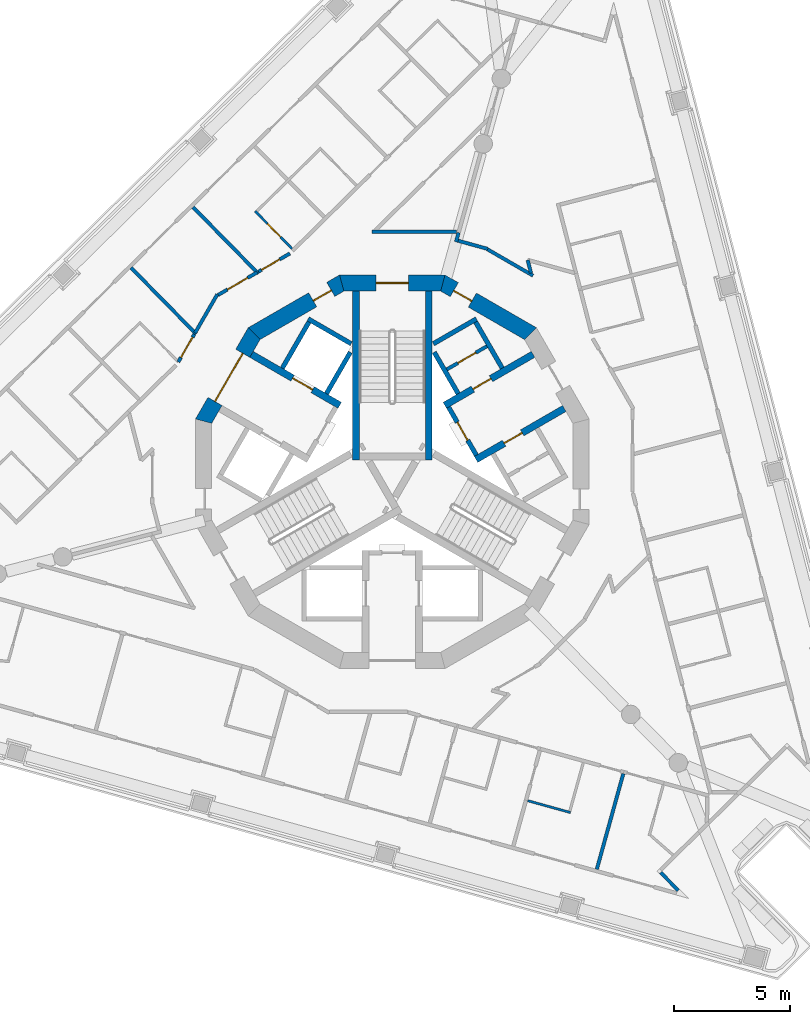
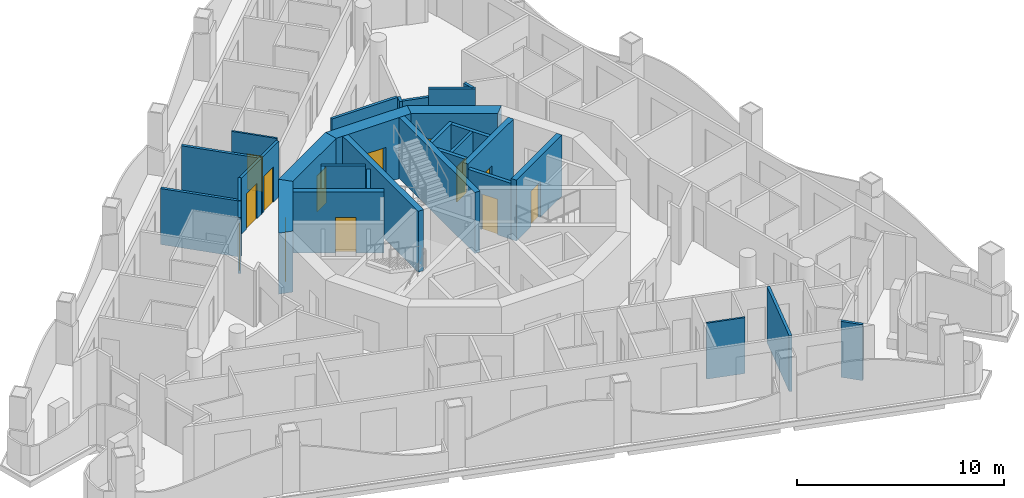
# One storey, part 5 of 14: 32 walls, 13 doors, 13 openings.
"""IFC4 building model written with IfcOpenShell, lengths in metres."""

from ifc_helpers import new_model, si_unit, direction, frame, frame_2d, origin, place, context, subcontext, project, spatial, polyline, rectangle, outline, extrude, material, layer, layer_set, type_object, element, fill, save


model = new_model("IFC4")

# Units and contexts
model_context = context("Model", 3, precision=1e-05, world=origin(), true_north=direction((0.0, 1.0)))
body_context = subcontext(model_context, "Body", "Model", "MODEL_VIEW")
ifc_project = project(units=[si_unit("LENGTHUNIT", "METRE"), si_unit("AREAUNIT", "SQUARE_METRE"), si_unit("VOLUMEUNIT", "CUBIC_METRE"), si_unit("PLANEANGLEUNIT", "RADIAN"), si_unit("MASSUNIT", "GRAM", prefix="KILO")], contexts=[model_context])

# Site, building, storey
site_placement = place(None, origin())
site = spatial("IfcSite", under=ifc_project, at=site_placement, CompositionType="ELEMENT")
building_placement = place(site_placement, origin())
building = spatial("IfcBuilding", under=site, at=building_placement, Name="Trine Commons Tower", CompositionType="ELEMENT")
storey_placement = place(building_placement, frame((0.0, 0.0, 242.10009765625)))
storey = spatial("IfcBuildingStorey", under=building, at=storey_placement, Name="L63", CompositionType="ELEMENT", Elevation=242.10009765625)

# Wall, opening, door
ifc_material_1 = material(Name="Plasterboard partition on steel studs", Category="steel")
ifc_layer_1 = layer(ifc_material_1, 0.14990234375)
ifc_layer_set_1 = layer_set([ifc_layer_1], Name="Plasterboard partition on steel studs")
wall_type_1 = type_object("IfcWallType", Name="Core room partition 150 mm, EI 60", PredefinedType="PARTITIONING", material=ifc_layer_set_1)
wall_1_placement = place(storey_placement, frame((82.35498046875, 66.919921875, 0.0), z_axis=(0.0, 0.0, 1.0), x_axis=(0.866010750942, 0.50002537861, 0.0)))
wall_1 = element("IfcWall", 1, at=wall_1_placement, inside=storey, type_object=wall_type_1, Name="Core room partition L63", PredefinedType="PARTITIONING", context=body_context, shape_type="SweptSolid", body=[
    extrude(rectangle(XDim=2.0, YDim=0.14990234375, at=frame_2d((1.0, 0.0))), origin(), (0.0, 0.0, 1.0), 3.2998046875),
])
opening_1_placement = place(wall_1_placement, frame((0.550537109375, 0.0, 0.0)))
opening_1 = element("IfcOpeningElement", 2, at=opening_1_placement, cuts=wall_1, Name="Opening K15.11", PredefinedType="OPENING", context=body_context, shape_type="SweptSolid", body=[
    extrude(rectangle(XDim=0.89990234375, YDim=2.10009765625, at=frame_2d((0.449951171875, 1.050048828125))), frame((0.0, 0.0849609375, 0.0), z_axis=(0.0, -1.0, 0.0), x_axis=(1.0, 0.0, 0.0)), (0.0, 0.0, 1.0), 0.169921875),
])
ifc_material_2 = material(Name="Steel door leaf, fire-rated", Category="steel")
door_type_1 = type_object("IfcDoorType", Name="Core room door, single leaf 900 x 2100, FD30S", OperationType="SINGLE_SWING_LEFT", PredefinedType="DOOR", material=ifc_material_2)
door_1_placement = place(opening_1_placement, origin())
door_1 = element("IfcDoor", 3, at=door_1_placement, inside=storey, type_object=door_type_1, Name="Door to Pantry L63", OperationType="SINGLE_SWING_RIGHT", OverallHeight=2.10009765625, OverallWidth=0.89990234375, PredefinedType="DOOR", context=body_context, shape_type="SweptSolid", body=[
    extrude(rectangle(XDim=0.89990234375, YDim=2.10009765625, at=frame_2d((0.449951171875, 1.050048828125))), frame((0.0, 0.02490234375, 0.0), z_axis=(0.0, -1.0, 0.0), x_axis=(1.0, 0.0, 0.0)), (0.0, 0.0, 1.0), 0.050048828125),
])
fill(opening_1, door_1)

# Wall
ifc_material_3 = material(Name="Aluminium-framed insulated wall panel", Category="aluminium")
ifc_layer_2 = layer(ifc_material_3, 0.14990234375)
ifc_layer_set_2 = layer_set([ifc_layer_2], Name="Aluminium-framed insulated wall panel")
wall_type_2 = type_object("IfcWallType", Name="Glazed frame wall 150, EI 60", PredefinedType="SOLIDWALL", material=ifc_layer_set_2)
wall_2_placement = place(storey_placement, frame((91.510498046875, 45.2724609375, 0.0), z_axis=(0.0, 0.0, 1.0), x_axis=(0.700999978355, -0.71316129336, 0.0)))
element("IfcWall", 4, at=wall_2_placement, inside=storey, type_object=wall_type_2, Name="Glazed frame wall R8", PredefinedType="SOLIDWALL", context=body_context, shape_type="SweptSolid", body=[
    extrude(outline(polyline([(0.110107421875, 0.074951171875), (0.110107421875, -0.074951171875), (1.19580078125, -0.074951171875), (1.19580078125, 0.074951171875), (0.110107421875, 0.074951171875)])), origin(), (0.0, 0.0, 1.0), 3.2998046875),
])

# Wall, opening, door
ifc_material_4 = material(Name="Fire-rated gypsum shaft wall system")
ifc_layer_3 = layer(ifc_material_4, 0.199951171875)
ifc_layer_set_3 = layer_set([ifc_layer_3], Name="Fire-rated gypsum shaft wall system")
wall_type_3 = type_object("IfcWallType", Name="Lobby end wall 200 mm, EI 120", PredefinedType="PARTITIONING", material=ifc_layer_set_3)
wall_3_placement = place(storey_placement, frame((83.631103515625, 63.2109375, 0.0), z_axis=(0.0, 0.0, 1.0), x_axis=(-0.50012165622, 0.865955154139, 0.0)))
wall_3 = element("IfcWall", 5, at=wall_3_placement, inside=storey, type_object=wall_type_3, Name="Lobby end wall L63", PredefinedType="PARTITIONING", context=body_context, shape_type="SweptSolid", body=[
    extrude(rectangle(XDim=2.39990234375, YDim=0.199951171875, at=frame_2d((1.199951171875, 0.0))), origin(), (0.0, 0.0, 1.0), 3.2998046875),
])
opening_2_placement = place(wall_3_placement, frame((0.749755859375, 0.0, 0.0)))
opening_2 = element("IfcOpeningElement", 6, at=opening_2_placement, cuts=wall_3, Name="Opening K15.05", PredefinedType="OPENING", context=body_context, shape_type="SweptSolid", body=[
    extrude(rectangle(XDim=0.89990234375, YDim=2.10009765625, at=frame_2d((0.449951171875, 1.050048828125))), frame((0.0, 0.10986328125, 0.0), z_axis=(0.0, -1.0, 0.0), x_axis=(1.0, 0.0, 0.0)), (0.0, 0.0, 1.0), 0.219970703125),
])
door_type_2 = type_object("IfcDoorType", Name="Riser access door, single leaf 900 x 2100, FD60", OperationType="SINGLE_SWING_LEFT", PredefinedType="DOOR", material=ifc_material_2)
door_2_placement = place(opening_2_placement, frame((0.89990234375, 0.0, 0.0), z_axis=(0.0, 0.0, 1.0), x_axis=(-1.0, 0.0, 0.0)))
door_2 = element("IfcDoor", 7, at=door_2_placement, inside=storey, type_object=door_type_2, Name="Riser door, Electrical riser L63", OperationType="SINGLE_SWING_LEFT", OverallHeight=2.10009765625, OverallWidth=0.89990234375, PredefinedType="DOOR", context=body_context, shape_type="SweptSolid", body=[
    extrude(rectangle(XDim=0.89990234375, YDim=2.10009765625, at=frame_2d((0.449951171875, 1.050048828125))), frame((0.0, 0.02490234375, 0.0), z_axis=(0.0, -1.0, 0.0), x_axis=(1.0, 0.0, 0.0)), (0.0, 0.0, 1.0), 0.050048828125),
])
fill(opening_2, door_2)

ifc_material_5 = material(Name="Concrete C50/60", Category="concrete")
ifc_layer_4 = layer(ifc_material_5, 0.300048828125)
ifc_layer_set_4 = layer_set([ifc_layer_4], Name="Concrete C50/60")
wall_type_4 = type_object("IfcWallType", Name="RC shear wall 300 mm, C50/60", PredefinedType="SHEAR", material=ifc_layer_set_4)
wall_4_placement = place(storey_placement, frame((77.73095703125, 65.368896484375, 0.0), z_axis=(0.0, 0.0, 1.0), x_axis=(-0.866035918664, 0.499981787252, 0.0)))
wall_4 = element("IfcWall", 8, at=wall_4_placement, inside=storey, type_object=wall_type_4, Name="Core cross wall SWC-02 L63", PredefinedType="SHEAR", context=body_context, shape_type="SweptSolid", body=[
    extrude(rectangle(XDim=4.400634765625, YDim=0.300048828125, at=frame_2d((2.2001953125, 0.0))), origin(), (0.0, 0.0, 1.0), 3.599853515625),
])
opening_3_placement = place(wall_4_placement, frame((1.3505859375, 0.0, 0.0)))
opening_3 = element("IfcOpeningElement", 9, at=opening_3_placement, cuts=wall_4, Name="Opening LD8", PredefinedType="OPENING", context=body_context, shape_type="SweptSolid", body=[
    extrude(rectangle(XDim=1.0, YDim=2.10009765625, at=frame_2d((0.5, 1.050048828125))), frame((0.0, 0.159912109375, 0.0), z_axis=(0.0, -1.0, 0.0), x_axis=(1.0, 0.0, 0.0)), (0.0, 0.0, 1.0), 0.320068359375),
])
ifc_material_6 = material(Name="Stainless steel sliding door leaves", Category="steel")
door_type_3 = type_object("IfcDoorType", Name="Lift landing door, centre-opening sliding 1000 x 2100, FD90", OperationType="DOUBLE_DOOR_SLIDING", PredefinedType="DOOR", material=ifc_material_6)
door_3_placement = place(opening_3_placement, origin())
door_3 = element("IfcDoor", 10, at=door_3_placement, inside=storey, type_object=door_type_3, Name="Lift landing door HR4 L63", OperationType="DOUBLE_DOOR_SLIDING", OverallHeight=2.10009765625, OverallWidth=1.0, PredefinedType="DOOR", context=body_context, shape_type="SweptSolid", body=[
    extrude(rectangle(XDim=1.0, YDim=2.10009765625, at=frame_2d((0.5, 1.050048828125))), frame((0.0, 0.02490234375, 0.0), z_axis=(0.0, -1.0, 0.0), x_axis=(1.0, 0.0, 0.0)), (0.0, 0.0, 1.0), 0.050048828125),
])
fill(opening_3, door_3)

wall_5_placement = place(storey_placement, frame((82.26904296875, 65.368896484375, 0.0), z_axis=(0.0, 0.0, 1.0), x_axis=(0.866035918664, 0.499981787252, 0.0)))
wall_5 = element("IfcWall", 11, at=wall_5_placement, inside=storey, type_object=wall_type_4, Name="Core cross wall SWC-05 L63", PredefinedType="SHEAR", context=body_context, shape_type="SweptSolid", body=[
    extrude(rectangle(XDim=4.400634765625, YDim=0.300048828125, at=frame_2d((2.2001953125, 0.0))), origin(), (0.0, 0.0, 1.0), 3.599853515625),
])
opening_4_placement = place(wall_5_placement, frame((1.400390625, 0.0, 0.0)))
opening_4 = element("IfcOpeningElement", 12, at=opening_4_placement, cuts=wall_5, Name="Opening K15.10", PredefinedType="OPENING", context=body_context, shape_type="SweptSolid", body=[
    extrude(rectangle(XDim=0.89990234375, YDim=2.10009765625, at=frame_2d((0.449951171875, 1.050048828125))), frame((0.0, 0.159912109375, 0.0), z_axis=(0.0, -1.0, 0.0), x_axis=(1.0, 0.0, 0.0)), (0.0, 0.0, 1.0), 0.320068359375),
])
door_4_placement = place(opening_4_placement, origin())
door_4 = element("IfcDoor", 13, at=door_4_placement, inside=storey, type_object=door_type_1, Name="Door to Linen store L63", OperationType="SINGLE_SWING_LEFT", OverallHeight=2.10009765625, OverallWidth=0.89990234375, PredefinedType="DOOR", context=body_context, shape_type="SweptSolid", body=[
    extrude(rectangle(XDim=0.89990234375, YDim=2.10009765625, at=frame_2d((0.449951171875, 1.050048828125))), frame((0.0, 0.02490234375, 0.0), z_axis=(0.0, -1.0, 0.0), x_axis=(1.0, 0.0, 0.0)), (0.0, 0.0, 1.0), 0.050048828125),
])
fill(opening_4, door_4)

wall_6_placement = place(storey_placement, frame((83.618896484375, 63.031005859375, 0.0), z_axis=(0.0, 0.0, 1.0), x_axis=(0.866059941101, 0.499940174841, 0.0)))
wall_6 = element("IfcWall", 14, at=wall_6_placement, inside=storey, type_object=wall_type_4, Name="Core cross wall SWC-06 L63", PredefinedType="SHEAR", context=body_context, shape_type="SweptSolid", body=[
    extrude(rectangle(XDim=4.400390625, YDim=0.300048828125, at=frame_2d((2.2001953125, 0.0))), origin(), (0.0, 0.0, 1.0), 3.599853515625),
])
opening_5_placement = place(wall_6_placement, frame((1.400390625, 0.0, 0.0)))
opening_5 = element("IfcOpeningElement", 15, at=opening_5_placement, cuts=wall_6, Name="Opening K15.12", PredefinedType="OPENING", context=body_context, shape_type="SweptSolid", body=[
    extrude(rectangle(XDim=0.89990234375, YDim=2.10009765625, at=frame_2d((0.449951171875, 1.050048828125))), frame((0.0, 0.159912109375, 0.0), z_axis=(0.0, -1.0, 0.0), x_axis=(1.0, 0.0, 0.0)), (0.0, 0.0, 1.0), 0.320068359375),
])
door_5_placement = place(opening_5_placement, frame((0.89990234375, 0.0, 0.0), z_axis=(0.0, 0.0, 1.0), x_axis=(-1.0, 0.0, 0.0)))
door_5 = element("IfcDoor", 16, at=door_5_placement, inside=storey, type_object=door_type_1, Name="Door to Comms room L63", OperationType="SINGLE_SWING_LEFT", OverallHeight=2.10009765625, OverallWidth=0.89990234375, PredefinedType="DOOR", context=body_context, shape_type="SweptSolid", body=[
    extrude(rectangle(XDim=0.89990234375, YDim=2.10009765625, at=frame_2d((0.449951171875, 1.050048828125))), frame((0.0, 0.02490234375, 0.0), z_axis=(0.0, -1.0, 0.0), x_axis=(1.0, 0.0, 0.0)), (0.0, 0.0, 1.0), 0.050048828125),
])
fill(opening_5, door_5)

# Walls
for number, where, z_axis, x_axis, name in (
    (17, (78.425048828125, 63.0009765625, 0.0), (0.0, 0.0, 1.0), (0.0, 1.0, 0.0), "Core cross wall SWC-08 L63"),
    (18, (81.574951171875, 63.0009765625, 0.0), (0.0, 0.0, 1.0), (0.0, 1.0, 0.0), "Core cross wall SWC-17 L63"),
):
    element("IfcWall", number, at=place(storey_placement, frame(where, z_axis=z_axis, x_axis=x_axis)), inside=storey, type_object=wall_type_4, Name=name, PredefinedType="SHEAR", context=body_context, shape_type="SweptSolid", body=[
        extrude(rectangle(XDim=7.299072265625, YDim=0.300048828125, at=frame_2d((3.6494140625, 0.0))), origin(), (0.0, 0.0, 1.0), 3.599853515625),
    ])

# Wall, opening, door
ifc_layer_5 = layer(ifc_material_5, 0.699951171875)
ifc_layer_set_5 = layer_set([ifc_layer_5], Name="Concrete C50/60")
wall_type_5 = type_object("IfcWallType", Name="RC shear wall 700 mm, C50/60", PredefinedType="SHEAR", material=ifc_layer_set_5)
wall_7_placement = place(storey_placement, frame((86.047607421875, 68.41943359375, 0.0), z_axis=(0.0, 0.0, 1.0), x_axis=(-0.866034756103, 0.499983800959, 0.0)))
wall_7 = element("IfcWall", 19, at=wall_7_placement, inside=storey, type_object=wall_type_5, Name="Core wall CWG-03 L63", PredefinedType="SHEAR", context=body_context, shape_type="SweptSolid", body=[
    extrude(outline(polyline([(0.0, -0.35009765625), (4.55517578125, -0.35009765625), (4.36767578125, 0.35009765625), (0.1875, 0.35009765625), (0.0, -0.35009765625)])), origin(), (0.0, 0.0, 1.0), 3.599853515625),
])
opening_6_placement = place(wall_7_placement, frame((2.990966796875, 0.0, 0.0)))
opening_6 = element("IfcOpeningElement", 20, at=opening_6_placement, cuts=wall_7, Name="Opening K15.14", PredefinedType="OPENING", context=body_context, shape_type="SweptSolid", body=[
    extrude(rectangle(XDim=0.89990234375, YDim=2.10009765625, at=frame_2d((0.449951171875, 1.050048828125))), frame((0.0, 0.35986328125, 0.0), z_axis=(0.0, -1.0, 0.0), x_axis=(1.0, 0.0, 0.0)), (0.0, 0.0, 1.0), 0.719970703125),
])
door_6_placement = place(opening_6_placement, origin())
door_6 = element("IfcDoor", 21, at=door_6_placement, inside=storey, type_object=door_type_1, Name="Door to Core WC L63", OperationType="SINGLE_SWING_RIGHT", OverallHeight=2.10009765625, OverallWidth=0.89990234375, PredefinedType="DOOR", context=body_context, shape_type="SweptSolid", body=[
    extrude(rectangle(XDim=0.89990234375, YDim=2.10009765625, at=frame_2d((0.449951171875, 1.050048828125))), frame((0.0, 0.0751953125, 0.0), z_axis=(0.0, -1.0, 0.0), x_axis=(1.0, 0.0, 0.0)), (0.0, 0.0, 1.0), 0.050048828125),
])
fill(opening_6, door_6)

wall_8_placement = place(storey_placement, frame((82.277587890625, 70.650146484375, 0.0), z_axis=(0.0, 0.0, 1.0), x_axis=(-1.0, 0.0, 0.0)))
wall_8 = element("IfcWall", 22, at=wall_8_placement, inside=storey, type_object=wall_type_5, Name="Core wall CWG-04 L63", PredefinedType="SHEAR", context=body_context, shape_type="SweptSolid", body=[
    extrude(outline(polyline([(0.0, -0.35009765625), (4.55517578125, -0.35009765625), (4.36767578125, 0.35009765625), (0.1875, 0.35009765625), (0.0, -0.35009765625)])), origin(), (0.0, 0.0, 1.0), 3.599853515625),
])
opening_7_placement = place(wall_8_placement, frame((1.57763671875, 0.0, 0.0)))
opening_7 = element("IfcOpeningElement", 23, at=opening_7_placement, cuts=wall_8, Name="Opening K15.01", PredefinedType="OPENING", context=body_context, shape_type="SweptSolid", body=[
    extrude(rectangle(XDim=1.39990234375, YDim=2.10009765625, at=frame_2d((0.699951171875, 1.050048828125))), frame((0.0, 0.35986328125, 0.0), z_axis=(0.0, -1.0, 0.0), x_axis=(1.0, 0.0, 0.0)), (0.0, 0.0, 1.0), 0.719970703125),
])
ifc_material_7 = material(Name="Steel door leaves, fire-rated", Category="steel")
door_type_4 = type_object("IfcDoorType", Name="Stair door, double leaf 1400 x 2100, FD90", OperationType="DOUBLE_DOOR_SINGLE_SWING", PredefinedType="DOOR", material=ifc_material_7)
door_7_placement = place(opening_7_placement, origin())
door_7 = element("IfcDoor", 24, at=door_7_placement, inside=storey, type_object=door_type_4, Name="Stair door to Exit stair ST1C L63", OperationType="DOUBLE_DOOR_SINGLE_SWING", OverallHeight=2.10009765625, OverallWidth=1.39990234375, PredefinedType="DOOR", context=body_context, shape_type="SweptSolid", body=[
    extrude(rectangle(XDim=1.39990234375, YDim=2.10009765625, at=frame_2d((0.699951171875, 1.050048828125))), frame((0.0, 0.02490234375, 0.0), z_axis=(0.0, -1.0, 0.0), x_axis=(1.0, 0.0, 0.0)), (0.0, 0.0, 1.0), 0.050048828125),
])
fill(opening_7, door_7)

wall_9_placement = place(storey_placement, frame((77.8974609375, 70.697021484375, 0.0), z_axis=(0.0, 0.0, 1.0), x_axis=(-0.866034756103, -0.499983800959, 0.0)))
wall_9 = element("IfcWall", 25, at=wall_9_placement, inside=storey, type_object=wall_type_5, Name="Core wall CWG-05 L63", PredefinedType="SHEAR", context=body_context, shape_type="SweptSolid", body=[
    extrude(outline(polyline([(0.0, -0.35009765625), (4.55517578125, -0.35009765625), (4.36767578125, 0.35009765625), (0.1875, 0.35009765625), (0.0, -0.35009765625)])), origin(), (0.0, 0.0, 1.0), 3.599853515625),
])
opening_8_placement = place(wall_9_placement, frame((0.641845703125, 0.0, 0.0)))
opening_8 = element("IfcOpeningElement", 26, at=opening_8_placement, cuts=wall_9, Name="Opening K15.15", PredefinedType="OPENING", context=body_context, shape_type="SweptSolid", body=[
    extrude(rectangle(XDim=0.89990234375, YDim=2.10009765625, at=frame_2d((0.449951171875, 1.050048828125))), frame((0.0, 0.35986328125, 0.0), z_axis=(0.0, -1.0, 0.0), x_axis=(1.0, 0.0, 0.0)), (0.0, 0.0, 1.0), 0.719970703125),
])
door_8_placement = place(opening_8_placement, origin())
door_8 = element("IfcDoor", 27, at=door_8_placement, inside=storey, type_object=door_type_1, Name="Door to Accessible WC L63", OperationType="SINGLE_SWING_LEFT", OverallHeight=2.10009765625, OverallWidth=0.89990234375, PredefinedType="DOOR", context=body_context, shape_type="SweptSolid", body=[
    extrude(rectangle(XDim=0.89990234375, YDim=2.10009765625, at=frame_2d((0.449951171875, 1.050048828125))), frame((0.0, 0.0751953125, 0.0), z_axis=(0.0, -1.0, 0.0), x_axis=(1.0, 0.0, 0.0)), (0.0, 0.0, 1.0), 0.050048828125),
])
fill(opening_8, door_8)

wall_10_placement = place(storey_placement, frame((74.08056640625, 68.547607421875, 0.0), z_axis=(0.0, 0.0, 1.0), x_axis=(-0.499983800959, -0.866034756103, 0.0)))
wall_10 = element("IfcWall", 28, at=wall_10_placement, inside=storey, type_object=wall_type_5, Name="Core wall CWG-06 L63", PredefinedType="SHEAR", context=body_context, shape_type="SweptSolid", body=[
    extrude(outline(polyline([(0.0, -0.35009765625), (4.55517578125, -0.35009765625), (4.36767578125, 0.35009765625), (0.1875, 0.35009765625), (0.0, -0.35009765625)])), origin(), (0.0, 0.0, 1.0), 3.599853515625),
])
opening_9_placement = place(wall_10_placement, frame((1.077392578125, 0.0, 0.0)))
opening_9 = element("IfcOpeningElement", 29, at=opening_9_placement, cuts=wall_10, Name="Opening K15.06", PredefinedType="OPENING", context=body_context, shape_type="SweptSolid", body=[
    extrude(rectangle(XDim=2.39990234375, YDim=2.10009765625, at=frame_2d((1.199951171875, 1.050048828125))), frame((0.0, 0.35986328125, 0.0), z_axis=(0.0, -1.0, 0.0), x_axis=(1.0, 0.0, 0.0)), (0.0, 0.0, 1.0), 0.719970703125),
])
door_type_5 = type_object("IfcDoorType", Name="Lobby door, double leaf 2400 x 2100, FD60", OperationType="DOUBLE_DOOR_SINGLE_SWING", PredefinedType="DOOR", material=ifc_material_7)
door_9_placement = place(opening_9_placement, origin())
door_9 = element("IfcDoor", 30, at=door_9_placement, inside=storey, type_object=door_type_5, Name="Lobby door, Passenger lift lobby B L63", OperationType="DOUBLE_DOOR_SINGLE_SWING", OverallHeight=2.10009765625, OverallWidth=2.39990234375, PredefinedType="DOOR", context=body_context, shape_type="SweptSolid", body=[
    extrude(rectangle(XDim=2.39990234375, YDim=2.10009765625, at=frame_2d((1.199951171875, 1.050048828125))), frame((0.0, 0.02490234375, 0.0), z_axis=(0.0, -1.0, 0.0), x_axis=(1.0, 0.0, 0.0)), (0.0, 0.0, 1.0), 0.050048828125),
])
fill(opening_9, door_9)

# Walls
ifc_layer_6 = layer(ifc_material_4, 0.199951171875)
ifc_layer_set_6 = layer_set([ifc_layer_6], Name="Fire-rated gypsum shaft wall system")
wall_type_6 = type_object("IfcWallType", Name="Shaft wall 200 mm, EI 120", PredefinedType="PARTITIONING", material=ifc_layer_set_6)
wall_11_placement = place(storey_placement, frame((75.2509765625, 66.97412109375, 0.0), z_axis=(0.0, 0.0, 1.0), x_axis=(0.500136062276, 0.86594683394, 0.0)))
element("IfcWall", 31, at=wall_11_placement, inside=storey, type_object=wall_type_6, Name="Shaft wall L63", PredefinedType="PARTITIONING", context=body_context, shape_type="SweptSolid", body=[
    extrude(rectangle(XDim=2.299072265625, YDim=0.199951171875, at=frame_2d((1.1494140625, 0.0))), origin(), (0.0, 0.0, 1.0), 3.2998046875),
])
wall_12_placement = place(storey_placement, frame((77.156005859375, 65.8740234375, 0.0), z_axis=(0.0, 0.0, 1.0), x_axis=(0.499865770674, 0.866102887253, 0.0)))
element("IfcWall", 32, at=wall_12_placement, inside=storey, type_object=wall_type_6, Name="Shaft wall L63", PredefinedType="PARTITIONING", context=body_context, shape_type="SweptSolid", body=[
    extrude(rectangle(XDim=2.064453125, YDim=0.199951171875, at=frame_2d((1.0322265625, 0.0))), origin(), (0.0, 0.0, 1.0), 3.2998046875),
])
for number, where, z_axis, x_axis, name in (
    (33, (78.22509765625, 68.028076171875, 0.0), (0.0, 0.0, 1.0), (-0.866130725101, 0.499817533742, 0.0), "Shaft wall L63"),
    (34, (81.77490234375, 68.028076171875, 0.0), (0.0, 0.0, 1.0), (0.866130725101, 0.499817533742, 0.0), "Shaft wall L63"),
):
    element("IfcWall", number, at=place(storey_placement, frame(where, z_axis=z_axis, x_axis=x_axis)), inside=storey, type_object=wall_type_6, Name=name, PredefinedType="PARTITIONING", context=body_context, shape_type="SweptSolid", body=[
        extrude(rectangle(XDim=2.148681640625, YDim=0.199951171875, at=frame_2d((1.07421875, 0.0))), origin(), (0.0, 0.0, 1.0), 3.2998046875),
    ])
wall_13_placement = place(storey_placement, frame((82.843994140625, 65.8740234375, 0.0), z_axis=(0.0, 0.0, 1.0), x_axis=(-0.499865770674, 0.866102887253, 0.0)))
element("IfcWall", 35, at=wall_13_placement, inside=storey, type_object=wall_type_6, Name="Shaft wall L63", PredefinedType="PARTITIONING", context=body_context, shape_type="SweptSolid", body=[
    extrude(rectangle(XDim=2.064453125, YDim=0.199951171875, at=frame_2d((1.0322265625, 0.0))), origin(), (0.0, 0.0, 1.0), 3.2998046875),
])
wall_14_placement = place(storey_placement, frame((84.7490234375, 66.97412109375, 0.0), z_axis=(0.0, 0.0, 1.0), x_axis=(-0.500136062276, 0.86594683394, 0.0)))
element("IfcWall", 36, at=wall_14_placement, inside=storey, type_object=wall_type_6, Name="Shaft wall L63", PredefinedType="PARTITIONING", context=body_context, shape_type="SweptSolid", body=[
    extrude(rectangle(XDim=2.299072265625, YDim=0.199951171875, at=frame_2d((1.1494140625, 0.0))), origin(), (0.0, 0.0, 1.0), 3.2998046875),
])
ifc_material_8 = material(Name="Gypsum plasterboard on steel stud", Category="steel")
ifc_layer_7 = layer(ifc_material_8, 0.14990234375)
ifc_layer_set_7 = layer_set([ifc_layer_7], Name="Gypsum plasterboard on steel stud")
wall_type_7 = type_object("IfcWallType", Name="Unit and corridor wall 150 mm, EI 60", PredefinedType="PARTITIONING", material=ifc_layer_set_7)
wall_15_placement = place(storey_placement, frame((68.720947265625, 71.3076171875, 0.0), z_axis=(0.0, 0.0, 1.0), x_axis=(0.700815785944, -0.713342298039, 0.0)))
element("IfcWall", 37, at=wall_15_placement, inside=storey, type_object=wall_type_7, Name="Partition 021", PredefinedType="PARTITIONING", context=body_context, shape_type="SweptSolid", body=[
    extrude(rectangle(XDim=4.014892578125, YDim=0.14990234375, at=frame_2d((2.00732421875, 0.0))), origin(), (0.0, 0.0, 1.0), 3.2998046875),
])

# Wall, opening, door
wall_16_placement = place(storey_placement, frame((70.758056640625, 67.242919921875, 0.0), z_axis=(0.0, 0.0, 1.0), x_axis=(0.49979916758, 0.866141323391, 0.0)))
wall_16 = element("IfcWall", 38, at=wall_16_placement, inside=storey, type_object=wall_type_7, Name="Partition 029", PredefinedType="PARTITIONING", context=body_context, shape_type="SweptSolid", body=[
    extrude(rectangle(XDim=1.37744140625, YDim=0.14990234375, at=frame_2d((0.688720703125, 0.0))), origin(), (0.0, 0.0, 1.0), 3.2998046875),
])
opening_10_placement = place(wall_16_placement, frame((0.2275390625, 0.0, 0.0)))
opening_10 = element("IfcOpeningElement", 39, at=opening_10_placement, cuts=wall_16, Name="Opening D-7A06", PredefinedType="OPENING", context=body_context, shape_type="SweptSolid", body=[
    extrude(rectangle(XDim=1.0, YDim=2.10009765625, at=frame_2d((0.5, 1.050048828125))), frame((0.0, 0.0849609375, 0.0), z_axis=(0.0, -1.0, 0.0), x_axis=(1.0, 0.0, 0.0)), (0.0, 0.0, 1.0), 0.169921875),
])
ifc_material_9 = material(Name="Timber fire door set", Category="wood")
door_type_6 = type_object("IfcDoorType", Name="Bedroom door 1000 x 2100, FD30S", OperationType="NOTDEFINED", PredefinedType="DOOR", material=ifc_material_9)
door_10_placement = place(opening_10_placement, origin())
door_10 = element("IfcDoor", 40, at=door_10_placement, inside=storey, type_object=door_type_6, Name="Door D-7A06", OperationType="SINGLE_SWING_RIGHT", OverallHeight=2.10009765625, OverallWidth=1.0, PredefinedType="DOOR", context=body_context, shape_type="SweptSolid", body=[
    extrude(rectangle(XDim=1.0, YDim=2.10009765625, at=frame_2d((0.5, 1.050048828125))), frame((0.0, 0.02490234375, 0.0), z_axis=(0.0, -1.0, 0.0), x_axis=(1.0, 0.0, 0.0)), (0.0, 0.0, 1.0), 0.050048828125),
])
fill(opening_10, door_10)

# Walls
wall_17_placement = place(storey_placement, frame((71.389892578125, 73.931396484375, 0.0), z_axis=(0.0, 0.0, 1.0), x_axis=(0.700963396894, -0.713197249164, 0.0)))
element("IfcWall", 41, at=wall_17_placement, inside=storey, type_object=wall_type_7, Name="Partition 030", PredefinedType="PARTITIONING", context=body_context, shape_type="SweptSolid", body=[
    extrude(rectangle(XDim=4.03125, YDim=0.14990234375, at=frame_2d((2.015625, 0.0))), origin(), (0.0, 0.0, 1.0), 3.2998046875),
])
wall_18_placement = place(storey_placement, frame((71.47998046875, 68.493896484375, 0.0), z_axis=(0.0, 0.0, 1.0), x_axis=(0.500205717672, 0.865906600049, 0.0)))
element("IfcWall", 42, at=wall_18_placement, inside=storey, type_object=wall_type_7, Name="Partition 031", PredefinedType="PARTITIONING", context=body_context, shape_type="SweptSolid", body=[
    extrude(rectangle(XDim=1.924072265625, YDim=0.14990234375, at=frame_2d((0.9619140625, 0.0))), origin(), (0.0, 0.0, 1.0), 3.2998046875),
])

# Wall, opening, door
wall_19_placement = place(storey_placement, frame((72.469970703125, 70.132568359375, 0.0), z_axis=(0.0, 0.0, 1.0), x_axis=(0.865963449651, 0.500107292357, 0.0)))
wall_19 = element("IfcWall", 43, at=wall_19_placement, inside=storey, type_object=wall_type_7, Name="Partition 032", PredefinedType="PARTITIONING", context=body_context, shape_type="SweptSolid", body=[
    extrude(rectangle(XDim=1.95849609375, YDim=0.14990234375, at=frame_2d((0.979248046875, 0.0))), origin(), (0.0, 0.0, 1.0), 3.2998046875),
])
opening_11_placement = place(wall_19_placement, frame((0.4775390625, 0.0, 0.0)))
opening_11 = element("IfcOpeningElement", 44, at=opening_11_placement, cuts=wall_19, Name="Opening D-7A07", PredefinedType="OPENING", context=body_context, shape_type="SweptSolid", body=[
    extrude(rectangle(XDim=1.0, YDim=2.10009765625, at=frame_2d((0.5, 1.050048828125))), frame((0.0, 0.0849609375, 0.0), z_axis=(0.0, -1.0, 0.0), x_axis=(1.0, 0.0, 0.0)), (0.0, 0.0, 1.0), 0.169921875),
])
ifc_material_10 = material(Name="Painted timber", Category="wood")
door_type_7 = type_object("IfcDoorType", Name="Amenity room door 1000 x 2100, NOT RATED", OperationType="NOTDEFINED", PredefinedType="DOOR", material=ifc_material_10)
door_11_placement = place(opening_11_placement, origin())
door_11 = element("IfcDoor", 45, at=door_11_placement, inside=storey, type_object=door_type_7, Name="Door D-7A07", OperationType="SINGLE_SWING_LEFT", OverallHeight=2.10009765625, OverallWidth=1.0, PredefinedType="DOOR", context=body_context, shape_type="SweptSolid", body=[
    extrude(rectangle(XDim=1.0, YDim=2.10009765625, at=frame_2d((0.5, 1.050048828125))), frame((0.0, 0.02490234375, 0.0), z_axis=(0.0, -1.0, 0.0), x_axis=(1.0, 0.0, 0.0)), (0.0, 0.0, 1.0), 0.050048828125),
])
fill(opening_11, door_11)

wall_20_placement = place(storey_placement, frame((74.22412109375, 71.1455078125, 0.0), z_axis=(0.0, 0.0, 1.0), x_axis=(0.866052944554, 0.499952294954, 0.0)))
wall_20 = element("IfcWall", 46, at=wall_20_placement, inside=storey, type_object=wall_type_7, Name="Partition 040", PredefinedType="PARTITIONING", context=body_context, shape_type="SweptSolid", body=[
    extrude(rectangle(XDim=1.563232421875, YDim=0.14990234375, at=frame_2d((0.78173828125, 0.0))), origin(), (0.0, 0.0, 1.0), 3.2998046875),
])
opening_12_placement = place(wall_20_placement, frame((0.14990234375, 0.0, 0.0)))
opening_12 = element("IfcOpeningElement", 47, at=opening_12_placement, cuts=wall_20, Name="Opening D-7A08", PredefinedType="OPENING", context=body_context, shape_type="SweptSolid", body=[
    extrude(rectangle(XDim=0.89990234375, YDim=2.10009765625, at=frame_2d((0.449951171875, 1.050048828125))), frame((0.0, 0.0849609375, 0.0), z_axis=(0.0, -1.0, 0.0), x_axis=(1.0, 0.0, 0.0)), (0.0, 0.0, 1.0), 0.169921875),
])
door_type_8 = type_object("IfcDoorType", Name="Bedroom door 900 x 2100, FD30S", OperationType="NOTDEFINED", PredefinedType="DOOR", material=ifc_material_9)
door_12_placement = place(opening_12_placement, origin())
door_12 = element("IfcDoor", 48, at=door_12_placement, inside=storey, type_object=door_type_8, Name="Door D-7A08", OperationType="SINGLE_SWING_LEFT", OverallHeight=2.10009765625, OverallWidth=0.89990234375, PredefinedType="DOOR", context=body_context, shape_type="SweptSolid", body=[
    extrude(rectangle(XDim=0.89990234375, YDim=2.10009765625, at=frame_2d((0.449951171875, 1.050048828125))), frame((0.0, 0.02490234375, 0.0), z_axis=(0.0, -1.0, 0.0), x_axis=(1.0, 0.0, 0.0)), (0.0, 0.0, 1.0), 0.050048828125),
])
fill(opening_12, door_12)

# Walls
wall_21_placement = place(storey_placement, frame((79.133056640625, 72.875, 0.0), z_axis=(0.0, 0.0, 1.0), x_axis=(1.0, 0.0, 0.0)))
element("IfcWall", 49, at=wall_21_placement, inside=storey, type_object=wall_type_7, Name="Partition 049", PredefinedType="PARTITIONING", context=body_context, shape_type="SweptSolid", body=[
    extrude(rectangle(XDim=3.64697265625, YDim=0.14990234375, at=frame_2d((1.823486328125, 0.0))), origin(), (0.0, 0.0, 1.0), 2.7998046875),
])
wall_22_placement = place(storey_placement, frame((82.7529296875, 72.42578125, 0.0), z_axis=(0.0, 0.0, 1.0), x_axis=(0.266887464326, 0.96372770085, 0.0)))
element("IfcWall", 50, at=wall_22_placement, inside=storey, type_object=wall_type_7, Name="Partition 061", PredefinedType="PARTITIONING", context=body_context, shape_type="SweptSolid", body=[
    extrude(rectangle(XDim=0.416259765625, YDim=0.14990234375, at=frame_2d((0.2080078125, 0.0))), origin(), (0.0, 0.0, 1.0), 2.7998046875),
])
wall_23_placement = place(storey_placement, frame((82.84521484375, 72.477783203125, 0.0), z_axis=(0.0, 0.0, 1.0), x_axis=(0.963623826389, -0.267262270467, 0.0)))
element("IfcWall", 51, at=wall_23_placement, inside=storey, type_object=wall_type_7, Name="Partition 062", PredefinedType="PARTITIONING", context=body_context, shape_type="SweptSolid", body=[
    extrude(rectangle(XDim=1.320068359375, YDim=0.14990234375, at=frame_2d((0.66015625, 0.0))), origin(), (0.0, 0.0, 1.0), 2.7998046875),
])
wall_24_placement = place(storey_placement, frame((84.10986328125, 72.107421875, 0.0), z_axis=(0.0, 0.0, 1.0), x_axis=(0.865965412825, -0.500103892997, 0.0)))
element("IfcWall", 52, at=wall_24_placement, inside=storey, type_object=wall_type_7, Name="Partition 066", PredefinedType="PARTITIONING", context=body_context, shape_type="SweptSolid", body=[
    extrude(rectangle(XDim=2.271484375, YDim=0.14990234375, at=frame_2d((1.1357421875, 0.0))), origin(), (0.0, 0.0, 1.0), 3.2998046875),
])
wall_25_placement = place(storey_placement, frame((85.847900390625, 71.64208984375, 0.0), z_axis=(0.0, 0.0, 1.0), x_axis=(0.250859734684, -0.968023446779, 0.0)))
element("IfcWall", 53, at=wall_25_placement, inside=storey, type_object=wall_type_7, Name="Partition 076", PredefinedType="PARTITIONING", context=body_context, shape_type="SweptSolid", body=[
    extrude(rectangle(XDim=0.5791015625, YDim=0.14990234375, at=frame_2d((0.28955078125, 0.0))), origin(), (0.0, 0.0, 1.0), 3.2998046875),
])
wall_26_placement = place(storey_placement, frame((88.832763671875, 45.327392578125, 0.0), z_axis=(0.0, 0.0, 1.0), x_axis=(0.267044344438, 0.963684241909, 0.0)))
element("IfcWall", 54, at=wall_26_placement, inside=storey, type_object=wall_type_7, Name="Partition 090", PredefinedType="PARTITIONING", context=body_context, shape_type="SweptSolid", body=[
    extrude(rectangle(XDim=4.284912109375, YDim=0.14990234375, at=frame_2d((2.142578125, 0.0))), origin(), (0.0, 0.0, 1.0), 3.2998046875),
])

# Wall, opening, door
ifc_layer_8 = layer(ifc_material_8, 0.10009765625)
ifc_layer_set_8 = layer_set([ifc_layer_8], Name="Gypsum plasterboard on steel stud")
wall_type_8 = type_object("IfcWallType", Name="Unit partition 100 mm, no rating", PredefinedType="PARTITIONING", material=ifc_layer_set_8)
wall_27_placement = place(storey_placement, frame((74.077880859375, 73.753662109375, 0.0), z_axis=(0.0, 0.0, 1.0), x_axis=(0.701016248593, -0.713145300207, 0.0)))
wall_27 = element("IfcWall", 55, at=wall_27_placement, inside=storey, type_object=wall_type_8, Name="Partition 038", PredefinedType="PARTITIONING", context=body_context, shape_type="SweptSolid", body=[
    extrude(rectangle(XDim=2.2744140625, YDim=0.10009765625, at=frame_2d((1.13720703125, 0.0))), origin(), (0.0, 0.0, 1.0), 3.2998046875),
])
opening_13_placement = place(wall_27_placement, frame((0.76220703125, 0.0, 0.0)))
opening_13 = element("IfcOpeningElement", 56, at=opening_13_placement, cuts=wall_27, Name="Opening D-7A31", PredefinedType="OPENING", context=body_context, shape_type="SweptSolid", body=[
    extrude(rectangle(XDim=0.800048828125, YDim=2.10009765625, at=frame_2d((0.39990234375, 1.050048828125))), frame((0.0, 0.06005859375, 0.0), z_axis=(0.0, -1.0, 0.0), x_axis=(1.0, 0.0, 0.0)), (0.0, 0.0, 1.0), 0.1201171875),
])
door_type_9 = type_object("IfcDoorType", Name="Internal door 800 x 2100, NOT RATED", OperationType="NOTDEFINED", PredefinedType="DOOR", material=ifc_material_10)
door_13_placement = place(opening_13_placement, frame((0.800048828125, 0.0, 0.0), z_axis=(0.0, 0.0, 1.0), x_axis=(-1.0, 0.0, 0.0)))
door_13 = element("IfcDoor", 57, at=door_13_placement, inside=storey, type_object=door_type_9, Name="Door D-7A31", OperationType="SINGLE_SWING_LEFT", OverallHeight=2.10009765625, OverallWidth=0.800048828125, PredefinedType="DOOR", context=body_context, shape_type="SweptSolid", body=[
    extrude(rectangle(XDim=0.800048828125, YDim=2.10009765625, at=frame_2d((0.39990234375, 1.050048828125))), frame((0.0, 0.02490234375, 0.0), z_axis=(0.0, -1.0, 0.0), x_axis=(1.0, 0.0, 0.0)), (0.0, 0.0, 1.0), 0.050048828125),
])
fill(opening_13, door_13)

# Wall
wall_28_placement = place(storey_placement, frame((85.848388671875, 48.29296875, 0.0), z_axis=(0.0, 0.0, 1.0), x_axis=(0.963625049046, -0.267257862095, 0.0)))
element("IfcWall", 58, at=wall_28_placement, inside=storey, type_object=wall_type_8, Name="Partition 075", PredefinedType="PARTITIONING", context=body_context, shape_type="SweptSolid", body=[
    extrude(rectangle(XDim=1.9248046875, YDim=0.10009765625, at=frame_2d((0.96240234375, 0.0))), origin(), (0.0, 0.0, 1.0), 3.2998046875),
])

save(model, "model.ifc")
